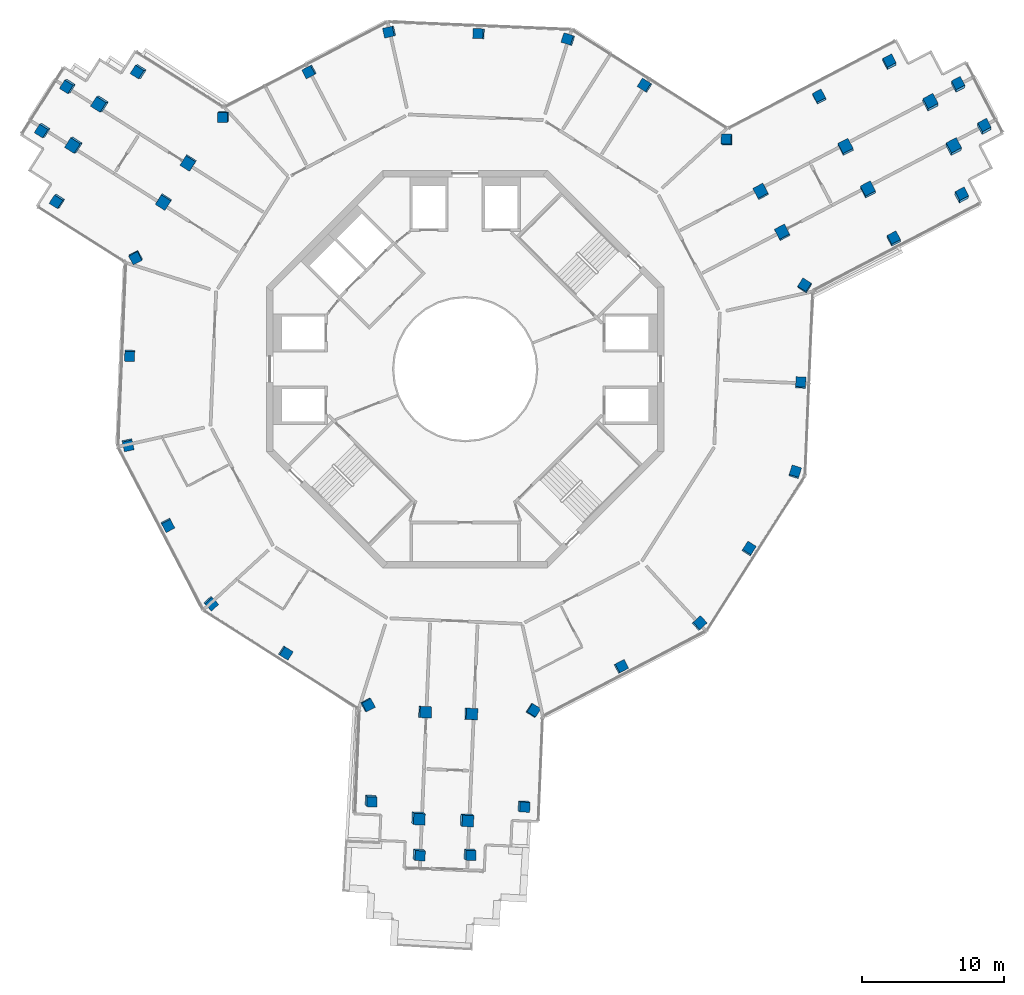
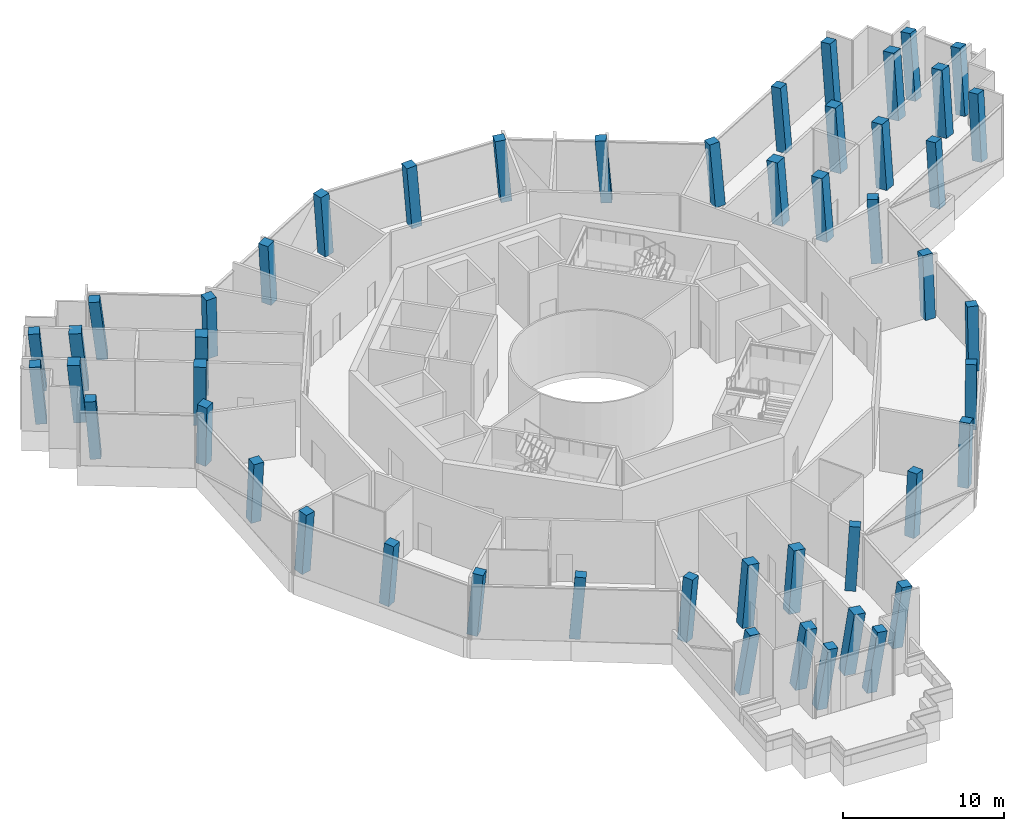
# One storey, part 1 of 21: 49 columns.
"""IFC4 building model written with IfcOpenShell, lengths in metres."""

from ifc_helpers import new_model, si_unit, direction, frame, origin, origin_2d, place, context, subcontext, project, spatial, rectangle, extrude, material, material_profile, profile_set, type_object, element, save


model = new_model("IFC4")

# Units and contexts
model_context = context("Model", 3, precision=1e-05, world=origin(), true_north=direction((0.0, 1.0)))
body_context = subcontext(model_context, "Body", "Model", "MODEL_VIEW")
ifc_project = project(units=[si_unit("LENGTHUNIT", "METRE"), si_unit("AREAUNIT", "SQUARE_METRE"), si_unit("VOLUMEUNIT", "CUBIC_METRE"), si_unit("PLANEANGLEUNIT", "RADIAN"), si_unit("MASSUNIT", "GRAM", prefix="KILO")], contexts=[model_context])

# Site, building, storey
site_placement = place(None, origin())
site = spatial("IfcSite", under=ifc_project, at=site_placement, CompositionType="ELEMENT")
building_placement = place(site_placement, origin())
building = spatial("IfcBuilding", under=site, at=building_placement, Name="Verdalira Terraces Hotel", CompositionType="ELEMENT")
storey_placement = place(building_placement, frame((0.0, 0.0, 269.0)))
storey = spatial("IfcBuildingStorey", under=building, at=storey_placement, Name="L66", CompositionType="ELEMENT", Elevation=269.0)

# Columns
ifc_material_1 = material(Name="Concrete C50", Category="concrete")
ifc_material_profile_1 = material_profile(ifc_material_1, rectangle(XDim=0.699951, YDim=0.699951, at=origin_2d()), Name="RC 700X700")
ifc_profile_set_1 = profile_set([ifc_material_profile_1], Name="Concrete C50")
column_type_1 = type_object("IfcColumnType", Name="Column RC 700X700 C50", PredefinedType="COLUMN", material=ifc_profile_set_1)
column_1_placement = place(storey_placement, frame((-22.950684, 20.972412, 0.0), z_axis=(-0.142395533, -0.031723562, 0.989301333), x_axis=(-0.834137178, 0.541914248, -0.102684546)))
element("IfcColumn", 1, at=column_1_placement, inside=storey, type_object=column_type_1, Name="Column C01", PredefinedType="COLUMN", context=body_context, shape_type="SweptSolid", body=[
    extrude(rectangle(XDim=0.699951, YDim=0.699951, at=origin_2d()), origin(), (0.0, 0.0, 1.0), 4.740723),
])
column_2_placement = place(storey_placement, frame((-28.693115, 11.849121, 0.0), z_axis=(-0.112358909, -0.050677742, 0.992374547), x_axis=(0.838742549, -0.540344477, 0.06737049)))
element("IfcColumn", 2, at=column_2_placement, inside=storey, type_object=column_type_1, Name="Column C02", PredefinedType="COLUMN", context=body_context, shape_type="SweptSolid", body=[
    extrude(rectangle(XDim=0.699951, YDim=0.699951, at=origin_2d()), origin(), (0.0, 0.0, 1.0), 4.726074),
])
column_3_placement = place(storey_placement, frame((-23.20752, 7.906006, 0.0), z_axis=(-0.02578506, -0.07771835, 0.996641856), x_axis=(-0.465171483, 0.883393066, 0.056852295)))
element("IfcColumn", 3, at=column_3_placement, inside=storey, type_object=column_type_1, Name="Column C03", PredefinedType="COLUMN", context=body_context, shape_type="SweptSolid", body=[
    extrude(rectangle(XDim=0.699951, YDim=0.699951, at=origin_2d()), origin(), (0.0, 0.0, 1.0), 4.705811),
])
column_4_placement = place(storey_placement, frame((-23.637695, 0.990723, 0.0), z_axis=(-0.002594671, -0.078981792, 0.996872682), x_axis=(-0.041129091, -0.996024088, -0.079021609)))
element("IfcColumn", 4, at=column_4_placement, inside=storey, type_object=column_type_1, Name="Column C04", PredefinedType="COLUMN", context=body_context, shape_type="SweptSolid", body=[
    extrude(rectangle(XDim=0.699951, YDim=0.699951, at=origin_2d()), origin(), (0.0, 0.0, 1.0), 4.70459),
])
column_5_placement = place(storey_placement, frame((-23.761719, -5.311279, 0.0), z_axis=(0.018418724, -0.079226457, 0.99668647), x_axis=(-0.217497759, 0.972665981, 0.081336422)))
element("IfcColumn", 5, at=column_5_placement, inside=storey, type_object=column_type_1, Name="Column C05", PredefinedType="COLUMN", context=body_context, shape_type="SweptSolid", body=[
    extrude(rectangle(XDim=0.699951, YDim=0.699951, at=origin_2d()), origin(), (0.0, 0.0, 1.0), 4.705566),
])
column_6_placement = place(storey_placement, frame((-20.966064, -10.960693, 0.0), z_axis=(0.037207513, -0.069744627, 0.996870748), x_axis=(0.461786436, -0.88346195, -0.079046004)))
element("IfcColumn", 6, at=column_6_placement, inside=storey, type_object=column_type_1, Name="Column C06", PredefinedType="COLUMN", context=body_context, shape_type="SweptSolid", body=[
    extrude(rectangle(XDim=0.699951, YDim=0.699951, at=origin_2d()), origin(), (0.0, 0.0, 1.0), 4.70459),
])
column_7_placement = place(storey_placement, frame((-17.922607, -16.480713, 0.0), z_axis=(0.055567624, -0.059355146, 0.996689122), x_axis=(-0.675008632, 0.733316452, 0.081303918)))
element("IfcColumn", 7, at=column_7_placement, inside=storey, type_object=column_type_1, Name="Column C07", PredefinedType="COLUMN", context=body_context, shape_type="SweptSolid", body=[
    extrude(rectangle(XDim=0.699951, YDim=0.699951, at=origin_2d()), origin(), (0.0, 0.0, 1.0), 4.705566),
])
column_8_placement = place(storey_placement, frame((-12.676758, -19.975342, 0.0), z_axis=(0.067097972, -0.041825959, 0.996869325), x_axis=(0.841492395, -0.534452469, -0.079063944)))
element("IfcColumn", 8, at=column_8_placement, inside=storey, type_object=column_type_1, Name="Column C08", PredefinedType="COLUMN", context=body_context, shape_type="SweptSolid", body=[
    extrude(rectangle(XDim=0.699951, YDim=0.699951, at=origin_2d()), origin(), (0.0, 0.0, 1.0), 4.70459),
])
column_9_placement = place(storey_placement, frame((-6.89624, -23.643799, 0.0), z_axis=(0.079168534, -0.022360182, 0.996610438), x_axis=(-0.459690496, 0.886286349, 0.056401724)))
element("IfcColumn", 9, at=column_9_placement, inside=storey, type_object=column_type_1, Name="Column C09", PredefinedType="COLUMN", context=body_context, shape_type="SweptSolid", body=[
    extrude(rectangle(XDim=0.699951, YDim=0.699951, at=origin_2d()), origin(), (0.0, 0.0, 1.0), 4.705811),
])
column_10_placement = place(storey_placement, frame((-6.687256, -30.362061, 0.0), z_axis=(0.098672383, -0.107478738, 0.989298783), x_axis=(-0.052341093, -0.993334684, -0.102696718)))
element("IfcColumn", 10, at=column_10_placement, inside=storey, type_object=column_type_1, Name="Column C10", PredefinedType="COLUMN", context=body_context, shape_type="SweptSolid", body=[
    extrude(rectangle(XDim=0.699951, YDim=0.699951, at=origin_2d()), origin(), (0.0, 0.0, 1.0), 4.740723),
])
column_11_placement = place(storey_placement, frame((-3.303711, -34.166992, 0.0), z_axis=(0.111168938, -0.096133583, 0.989140941), x_axis=(0.992926928, -0.031003358, -0.114607627)))
element("IfcColumn", 11, at=column_11_placement, inside=storey, type_object=column_type_1, Name="Column C11", PredefinedType="COLUMN", context=body_context, shape_type="SweptSolid", body=[
    extrude(rectangle(XDim=0.699951, YDim=0.699951, at=origin_2d()), origin(), (0.0, 0.0, 1.0), 4.741455),
])
column_12_placement = place(storey_placement, frame((0.279785, -34.156982, 0.0), z_axis=(0.111186081, -0.084381834, 0.990210766), x_axis=(0.99292035, -0.032471752, -0.114257442)))
element("IfcColumn", 12, at=column_12_placement, inside=storey, type_object=column_type_1, Name="Column C12", PredefinedType="COLUMN", context=body_context, shape_type="SweptSolid", body=[
    extrude(rectangle(XDim=0.699951, YDim=0.699951, at=origin_2d()), origin(), (0.0, 0.0, 1.0), 4.736328),
])
column_13_placement = place(storey_placement, frame((4.084961, -30.773438, 0.0), z_axis=(0.100012936, -0.071961787, 0.992380428), x_axis=(0.048803713, 0.996535449, 0.067344607)))
element("IfcColumn", 13, at=column_13_placement, inside=storey, type_object=column_type_1, Name="Column C13", PredefinedType="COLUMN", context=body_context, shape_type="SweptSolid", body=[
    extrude(rectangle(XDim=0.699951, YDim=0.699951, at=origin_2d()), origin(), (0.0, 0.0, 1.0), 4.72583),
])
column_14_placement = place(storey_placement, frame((4.75708, -24.051514, 0.0), z_axis=(0.080208495, 0.016602017, 0.99663984), x_axis=(-0.53173331, -0.845000335, 0.056869329)))
element("IfcColumn", 14, at=column_14_placement, inside=storey, type_object=column_type_1, Name="Column C14", PredefinedType="COLUMN", context=body_context, shape_type="SweptSolid", body=[
    extrude(rectangle(XDim=0.699951, YDim=0.699951, at=origin_2d()), origin(), (0.0, 0.0, 1.0), 4.705811),
])
column_15_placement = place(storey_placement, frame((10.960693, -20.966064, 0.0), z_axis=(0.069744627, 0.037207513, 0.996870748), x_axis=(0.88346195, 0.461786436, -0.079046004)))
element("IfcColumn", 15, at=column_15_placement, inside=storey, type_object=column_type_1, Name="Column C15", PredefinedType="COLUMN", context=body_context, shape_type="SweptSolid", body=[
    extrude(rectangle(XDim=0.699951, YDim=0.699951, at=origin_2d()), origin(), (0.0, 0.0, 1.0), 4.70459),
])
column_16_placement = place(storey_placement, frame((16.480713, -17.922607, 0.0), z_axis=(0.059355146, 0.055567624, 0.996689122), x_axis=(-0.733316452, -0.675008632, 0.081303918)))
element("IfcColumn", 16, at=column_16_placement, inside=storey, type_object=column_type_1, Name="Column C16", PredefinedType="COLUMN", context=body_context, shape_type="SweptSolid", body=[
    extrude(rectangle(XDim=0.699951, YDim=0.699951, at=origin_2d()), origin(), (0.0, 0.0, 1.0), 4.705566),
])
column_17_placement = place(storey_placement, frame((19.975342, -12.676758, 0.0), z_axis=(0.041825959, 0.067097972, 0.996869325), x_axis=(0.534452469, 0.841492395, -0.079063944)))
element("IfcColumn", 17, at=column_17_placement, inside=storey, type_object=column_type_1, Name="Column C17", PredefinedType="COLUMN", context=body_context, shape_type="SweptSolid", body=[
    extrude(rectangle(XDim=0.699951, YDim=0.699951, at=origin_2d()), origin(), (0.0, 0.0, 1.0), 4.70459),
])
column_18_placement = place(storey_placement, frame((23.233887, -7.281006, 0.0), z_axis=(0.023658975, 0.077825577, 0.996686226), x_axis=(-0.297924961, -0.951117562, 0.081339413)))
element("IfcColumn", 18, at=column_18_placement, inside=storey, type_object=column_type_1, Name="Column C18", PredefinedType="COLUMN", context=body_context, shape_type="SweptSolid", body=[
    extrude(rectangle(XDim=0.699951, YDim=0.699951, at=origin_2d()), origin(), (0.0, 0.0, 1.0), 4.705566),
])
column_19_placement = place(storey_placement, frame((23.637695, -0.990723, 0.0), z_axis=(0.002594671, 0.078981792, 0.996872682), x_axis=(0.041129091, 0.996024088, -0.079021609)))
element("IfcColumn", 19, at=column_19_placement, inside=storey, type_object=column_type_1, Name="Column C19", PredefinedType="COLUMN", context=body_context, shape_type="SweptSolid", body=[
    extrude(rectangle(XDim=0.699951, YDim=0.699951, at=origin_2d()), origin(), (0.0, 0.0, 1.0), 4.70459),
])
column_20_placement = place(storey_placement, frame((23.924316, 5.849609, 0.0), z_axis=(-0.020233111, 0.079739208, 0.996610395), x_axis=(-0.53756197, -0.841335803, 0.05640208)))
element("IfcColumn", 20, at=column_20_placement, inside=storey, type_object=column_type_1, Name="Column C20", PredefinedType="COLUMN", context=body_context, shape_type="SweptSolid", body=[
    extrude(rectangle(XDim=0.699951, YDim=0.699951, at=origin_2d()), origin(), (0.0, 0.0, 1.0), 4.705811),
])
column_21_placement = place(storey_placement, frame((30.189697, 9.125244, 0.0), z_axis=(0.006769257, 0.12081316, 0.992652184), x_axis=(0.887451511, 0.456760286, -0.061642983)))
element("IfcColumn", 21, at=column_21_placement, inside=storey, type_object=column_type_1, Name="Column C21", PredefinedType="COLUMN", context=body_context, shape_type="SweptSolid", body=[
    extrude(rectangle(XDim=0.699951, YDim=0.699951, at=origin_2d()), origin(), (0.0, 0.0, 1.0), 4.724609),
])
column_22_placement = place(storey_placement, frame((34.955078, 12.169434, 0.0), z_axis=(0.0343248, 0.15641421, 0.987094931), x_axis=(0.88742508, 0.449505221, -0.102087134)))
element("IfcColumn", 22, at=column_22_placement, inside=storey, type_object=column_type_1, Name="Column C22", PredefinedType="COLUMN", context=body_context, shape_type="SweptSolid", body=[
    extrude(rectangle(XDim=0.699951, YDim=0.699951, at=origin_2d()), origin(), (0.0, 0.0, 1.0), 4.751221),
])
column_23_placement = place(storey_placement, frame((36.558594, 17.002197, 0.0), z_axis=(0.018285634, 0.161488854, 0.986705116), x_axis=(-0.46993073, 0.872460348, -0.134082249)))
element("IfcColumn", 23, at=column_23_placement, inside=storey, type_object=column_type_1, Name="Column C23", PredefinedType="COLUMN", context=body_context, shape_type="SweptSolid", body=[
    extrude(rectangle(XDim=0.699951, YDim=0.699951, at=origin_2d()), origin(), (0.0, 0.0, 1.0), 4.753174),
])
column_24_placement = place(storey_placement, frame((34.71582, 19.96582, 0.0), z_axis=(0.008535903, 0.15549742, 0.987799418), x_axis=(-0.468616081, 0.873268802, -0.133418771)))
element("IfcColumn", 24, at=column_24_placement, inside=storey, type_object=column_type_1, Name="Column C24", PredefinedType="COLUMN", context=body_context, shape_type="SweptSolid", body=[
    extrude(rectangle(XDim=0.699951, YDim=0.699951, at=origin_2d()), origin(), (0.0, 0.0, 1.0), 4.747803),
])
column_25_placement = place(storey_placement, frame((29.883057, 21.569092, 0.0), z_axis=(0.003350412, 0.139789493, 0.990175577), x_axis=(-0.88797334, -0.454953867, 0.067233376)))
element("IfcColumn", 25, at=column_25_placement, inside=storey, type_object=column_type_1, Name="Column C25", PredefinedType="COLUMN", context=body_context, shape_type="SweptSolid", body=[
    extrude(rectangle(XDim=0.699951, YDim=0.699951, at=origin_2d()), origin(), (0.0, 0.0, 1.0), 4.736572),
])
column_26_placement = place(storey_placement, frame((24.954346, 19.139404, 0.0), z_axis=(-0.02639731, 0.103311825, 0.994298672), x_axis=(-0.887236377, -0.460674055, 0.024311029)))
element("IfcColumn", 26, at=column_26_placement, inside=storey, type_object=column_type_1, Name="Column C26", PredefinedType="COLUMN", context=body_context, shape_type="SweptSolid", body=[
    extrude(rectangle(XDim=0.699951, YDim=0.699951, at=origin_2d()), origin(), (0.0, 0.0, 1.0), 4.716797),
])
column_27_placement = place(storey_placement, frame((18.450684, 16.145508, 0.0), z_axis=(-0.05447554, 0.061116367, 0.996642968), x_axis=(0.997671523, -0.037688421, 0.056842897)))
element("IfcColumn", 27, at=column_27_placement, inside=storey, type_object=column_type_1, Name="Column C27", PredefinedType="COLUMN", context=body_context, shape_type="SweptSolid", body=[
    extrude(rectangle(XDim=0.699951, YDim=0.699951, at=origin_2d()), origin(), (0.0, 0.0, 1.0), 4.705811),
])
column_28_placement = place(storey_placement, frame((12.676758, 19.975342, 0.0), z_axis=(-0.067097972, 0.041825959, 0.996869325), x_axis=(-0.841492395, 0.534452469, -0.079063944)))
element("IfcColumn", 28, at=column_28_placement, inside=storey, type_object=column_type_1, Name="Column C28", PredefinedType="COLUMN", context=body_context, shape_type="SweptSolid", body=[
    extrude(rectangle(XDim=0.699951, YDim=0.699951, at=origin_2d()), origin(), (0.0, 0.0, 1.0), 4.70459),
])
column_29_placement = place(storey_placement, frame((7.281006, 23.233887, 0.0), z_axis=(-0.077825577, 0.023658975, 0.996686226), x_axis=(0.951117562, -0.297924961, 0.081339413)))
element("IfcColumn", 29, at=column_29_placement, inside=storey, type_object=column_type_1, Name="Column C29", PredefinedType="COLUMN", context=body_context, shape_type="SweptSolid", body=[
    extrude(rectangle(XDim=0.699951, YDim=0.699951, at=origin_2d()), origin(), (0.0, 0.0, 1.0), 4.705566),
])
column_30_placement = place(storey_placement, frame((0.990723, 23.637695, 0.0), z_axis=(-0.078981792, 0.002594671, 0.996872682), x_axis=(-0.996024088, 0.041129091, -0.079021609)))
element("IfcColumn", 30, at=column_30_placement, inside=storey, type_object=column_type_1, Name="Column C30", PredefinedType="COLUMN", context=body_context, shape_type="SweptSolid", body=[
    extrude(rectangle(XDim=0.699951, YDim=0.699951, at=origin_2d()), origin(), (0.0, 0.0, 1.0), 4.70459),
])
column_31_placement = place(storey_placement, frame((-5.311279, 23.761719, 0.0), z_axis=(-0.079226457, -0.018418724, 0.99668647), x_axis=(0.972665981, 0.217497759, 0.081336422)))
element("IfcColumn", 31, at=column_31_placement, inside=storey, type_object=column_type_1, Name="Column C31", PredefinedType="COLUMN", context=body_context, shape_type="SweptSolid", body=[
    extrude(rectangle(XDim=0.699951, YDim=0.699951, at=origin_2d()), origin(), (0.0, 0.0, 1.0), 4.705566),
])
column_32_placement = place(storey_placement, frame((-10.960693, 20.966064, 0.0), z_axis=(-0.069744627, -0.037207513, 0.996870748), x_axis=(-0.88346195, -0.461786436, -0.079046004)))
element("IfcColumn", 32, at=column_32_placement, inside=storey, type_object=column_type_1, Name="Column C32", PredefinedType="COLUMN", context=body_context, shape_type="SweptSolid", body=[
    extrude(rectangle(XDim=0.699951, YDim=0.699951, at=origin_2d()), origin(), (0.0, 0.0, 1.0), 4.70459),
])
column_33_placement = place(storey_placement, frame((-17.028076, 17.794189, 0.0), z_axis=(-0.058935478, -0.057379083, 0.996611384), x_axis=(0.997396179, -0.044951014, 0.05639387)))
element("IfcColumn", 33, at=column_33_placement, inside=storey, type_object=column_type_1, Name="Column C33", PredefinedType="COLUMN", context=body_context, shape_type="SweptSolid", body=[
    extrude(rectangle(XDim=0.699951, YDim=0.699951, at=origin_2d()), origin(), (0.0, 0.0, 1.0), 4.705811),
])
column_34_placement = place(storey_placement, frame((-27.937744, 19.94458, 0.0), z_axis=(-0.138820024, -0.048195676, 0.989144164), x_axis=(-0.523349235, -0.844378202, -0.11459071)))
element("IfcColumn", 34, at=column_34_placement, inside=storey, type_object=column_type_1, Name="Column C34", PredefinedType="COLUMN", context=body_context, shape_type="SweptSolid", body=[
    extrude(rectangle(XDim=0.699951, YDim=0.699951, at=origin_2d()), origin(), (0.0, 0.0, 1.0), 4.741455),
])
column_35_placement = place(storey_placement, frame((-29.720703, 16.836182, 0.0), z_axis=(-0.128660372, -0.054123955, 0.990210637), x_axis=(-0.524420482, -0.843758392, -0.11425819)))
element("IfcColumn", 35, at=column_35_placement, inside=storey, type_object=column_type_1, Name="Column C35", PredefinedType="COLUMN", context=body_context, shape_type="SweptSolid", body=[
    extrude(rectangle(XDim=0.699951, YDim=0.699951, at=origin_2d()), origin(), (0.0, 0.0, 1.0), 4.736328),
])
ifc_material_2 = material(Name="Concrete C50", Category="concrete")
ifc_material_profile_2 = material_profile(ifc_material_2, rectangle(XDim=0.800049, YDim=0.800049, at=origin_2d()), Name="RC 800X800")
ifc_profile_set_2 = profile_set([ifc_material_profile_2], Name="Concrete C50")
column_type_2 = type_object("IfcColumnType", Name="Column RC 800X800 C50", PredefinedType="COLUMN", material=ifc_profile_set_2)
for number, where, z_axis, x_axis, name in (
    (36, (-19.487305, 14.565674, 0.0), (-0.048096593, -0.065477778, 0.996694225), (-0.844047772, 0.536239764, -0.005502223), "Column C36"),
    (37, (-21.232178, 11.816162, 0.0), (-0.038861522, -0.071237477, 0.996702064), (-0.844581542, 0.535400357, 0.005336445), "Column C37"),
):
    element("IfcColumn", number, at=place(storey_placement, frame(where, z_axis=z_axis, x_axis=x_axis)), inside=storey, type_object=column_type_2, Name=name, PredefinedType="COLUMN", context=body_context, shape_type="SweptSolid", body=[
        extrude(rectangle(XDim=0.800049, YDim=0.800049, at=origin_2d()), origin(), (0.0, 0.0, 1.0), 4.705566),
    ])
column_36_placement = place(storey_placement, frame((-25.684082, 18.699463, 0.0), z_axis=(-0.134872382, -0.040714246, 0.990026157), x_axis=(-0.835395077, 0.541977364, -0.091518313)))
element("IfcColumn", 38, at=column_36_placement, inside=storey, type_object=column_type_2, Name="Column C38", PredefinedType="COLUMN", context=body_context, shape_type="SweptSolid", body=[
    extrude(rectangle(XDim=0.800049, YDim=0.800049, at=origin_2d()), origin(), (0.0, 0.0, 1.0), 4.737305),
])
column_37_placement = place(storey_placement, frame((-27.52002, 15.806396, 0.0), z_axis=(-0.125359391, -0.046738933, 0.991009836), x_axis=(-0.836742861, 0.541676659, -0.080298079)))
element("IfcColumn", 39, at=column_37_placement, inside=storey, type_object=column_type_2, Name="Column C39", PredefinedType="COLUMN", context=body_context, shape_type="SweptSolid", body=[
    extrude(rectangle(XDim=0.800049, YDim=0.800049, at=origin_2d()), origin(), (0.0, 0.0, 1.0), 4.732422),
])
for number, where, z_axis, x_axis, name in (
    (40, (-2.870605, -24.15918, 0.0), (0.080783395, -0.008924049, 0.99669173), (-0.042456508, -0.999083154, -0.005504296), "Column C40"),
    (41, (0.382812, -24.295654, 0.0), (0.081147279, 0.001919725, 0.996700273), (-0.041927087, -0.999106414, 0.005337892), "Column C41"),
):
    element("IfcColumn", number, at=place(storey_placement, frame(where, z_axis=z_axis, x_axis=x_axis)), inside=storey, type_object=column_type_2, Name=name, PredefinedType="COLUMN", context=body_context, shape_type="SweptSolid", body=[
        extrude(rectangle(XDim=0.800049, YDim=0.800049, at=origin_2d()), origin(), (0.0, 0.0, 1.0), 4.705566),
    ])
column_38_placement = place(storey_placement, frame((-3.352295, -31.592773, 0.0), z_axis=(0.102763777, -0.096476324, 0.990016124), x_axis=(-0.051501931, -0.994466473, -0.091564101)))
element("IfcColumn", 42, at=column_38_placement, inside=storey, type_object=column_type_2, Name="Column C42", PredefinedType="COLUMN", context=body_context, shape_type="SweptSolid", body=[
    extrude(rectangle(XDim=0.800049, YDim=0.800049, at=origin_2d()), origin(), (0.0, 0.0, 1.0), 4.737305),
])
column_39_placement = place(storey_placement, frame((0.071045, -31.736084, 0.0), z_axis=(0.10322703, -0.085222915, 0.991000119), x_axis=(-0.050566581, -0.995483953, -0.080341268)))
element("IfcColumn", 43, at=column_39_placement, inside=storey, type_object=column_type_2, Name="Column C43", PredefinedType="COLUMN", context=body_context, shape_type="SweptSolid", body=[
    extrude(rectangle(XDim=0.800049, YDim=0.800049, at=origin_2d()), origin(), (0.0, 0.0, 1.0), 4.732422),
])
for number, where, z_axis, x_axis, name in (
    (44, (22.35791, 9.593506, 0.0), (-0.032686948, 0.07440172, 0.996692504), (0.886288413, 0.463101024, -0.005503653), "Column C44"),
    (45, (20.849121, 12.479492, 0.0), (-0.042234092, 0.069265986, 0.99670382), (0.886077455, 0.463506506, 0.005335027), "Column C45"),
):
    element("IfcColumn", number, at=place(storey_placement, frame(where, z_axis=z_axis, x_axis=x_axis)), inside=storey, type_object=column_type_2, Name=name, PredefinedType="COLUMN", context=body_context, shape_type="SweptSolid", body=[
        extrude(rectangle(XDim=0.800049, YDim=0.800049, at=origin_2d()), origin(), (0.0, 0.0, 1.0), 4.705566),
    ])
column_40_placement = place(storey_placement, frame((28.378906, 12.588867, 0.0), z_axis=(-0.004705745, 0.114799486, 0.993377538), x_axis=(0.88745053, 0.458316369, -0.048761288)))
element("IfcColumn", 46, at=column_40_placement, inside=storey, type_object=column_type_2, Name="Column C46", PredefinedType="COLUMN", context=body_context, shape_type="SweptSolid", body=[
    extrude(rectangle(XDim=0.800049, YDim=0.800049, at=origin_2d()), origin(), (0.0, 0.0, 1.0), 4.721191),
])
column_41_placement = place(storey_placement, frame((26.807617, 15.594482, 0.0), z_axis=(-0.014693416, 0.109528037, 0.993875099), x_axis=(0.887252636, 0.459753007, -0.037549056)))
element("IfcColumn", 47, at=column_41_placement, inside=storey, type_object=column_type_2, Name="Column C47", PredefinedType="COLUMN", context=body_context, shape_type="SweptSolid", body=[
    extrude(rectangle(XDim=0.800049, YDim=0.800049, at=origin_2d()), origin(), (0.0, 0.0, 1.0), 4.71875),
])
column_42_placement = place(storey_placement, frame((34.399902, 15.583984, 0.0), z_axis=(0.023086077, 0.154558456, 0.987713884), x_axis=(0.887982847, 0.450725535, -0.091285021)))
element("IfcColumn", 48, at=column_42_placement, inside=storey, type_object=column_type_2, Name="Column C48", PredefinedType="COLUMN", context=body_context, shape_type="SweptSolid", body=[
    extrude(rectangle(XDim=0.800049, YDim=0.800049, at=origin_2d()), origin(), (0.0, 0.0, 1.0), 4.748291),
])
column_43_placement = place(storey_placement, frame((32.766113, 18.709473, 0.0), z_axis=(0.0127129, 0.149209298, 0.988723909), x_axis=(0.88793541, 0.452996683, -0.079779148)))
element("IfcColumn", 49, at=column_43_placement, inside=storey, type_object=column_type_2, Name="Column C49", PredefinedType="COLUMN", context=body_context, shape_type="SweptSolid", body=[
    extrude(rectangle(XDim=0.800049, YDim=0.800049, at=origin_2d()), origin(), (0.0, 0.0, 1.0), 4.743408),
])

save(model, "model.ifc")
